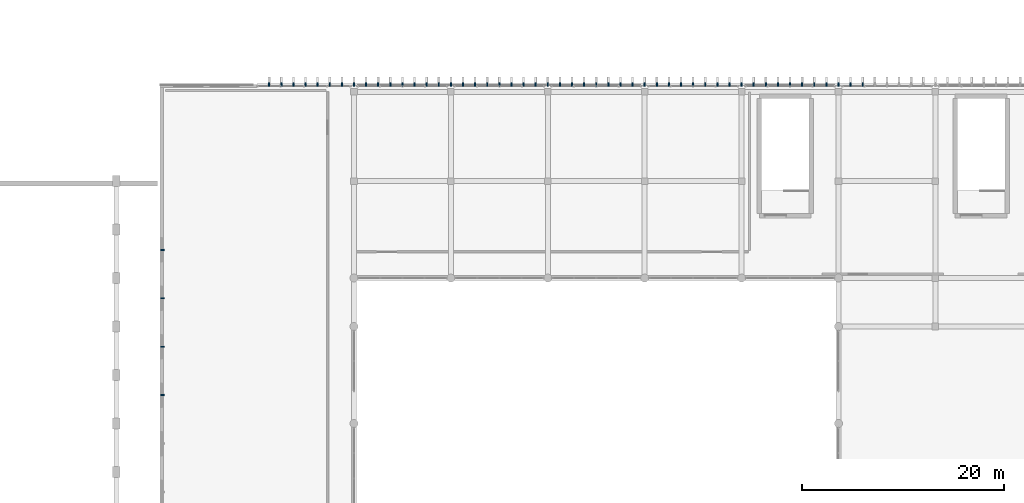
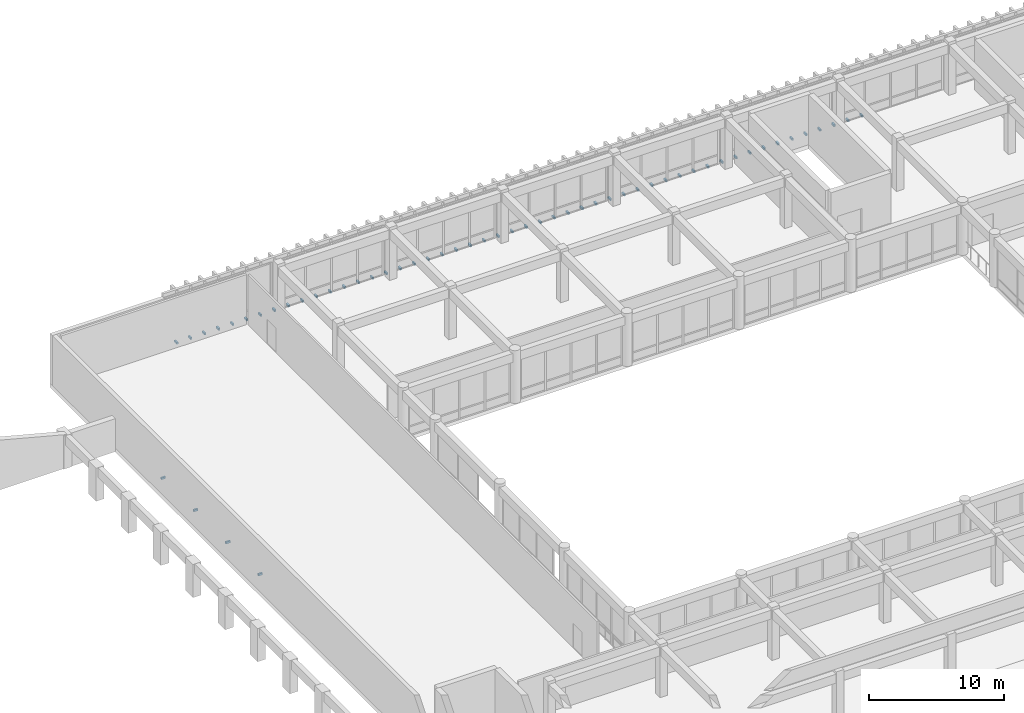
# One storey, part 86 of 101: 54 discrete accessories.
"""IFC4 building model written with IfcOpenShell, lengths in metres."""

from ifc_helpers import new_model, si_unit, direction, frame, origin, origin_2d, place, context, subcontext, project, spatial, rectangle, extrude, material, type_object, element, save


model = new_model("IFC4")

# Units and contexts
model_context = context("Model", 3, precision=1e-05, world=origin(), true_north=direction((0.0, 1.0)))
body_context = subcontext(model_context, "Body", "Model", "MODEL_VIEW")
ifc_project = project(units=[si_unit("LENGTHUNIT", "METRE"), si_unit("AREAUNIT", "SQUARE_METRE"), si_unit("VOLUMEUNIT", "CUBIC_METRE"), si_unit("PLANEANGLEUNIT", "RADIAN"), si_unit("MASSUNIT", "GRAM", prefix="KILO")], contexts=[model_context])

# Site, building, storey
site_placement = place(None, origin())
site = spatial("IfcSite", under=ifc_project, at=site_placement, CompositionType="ELEMENT")
building_placement = place(site_placement, origin())
building = spatial("IfcBuilding", under=site, at=building_placement, Name="Nakhvara Creek Congress Hotel", CompositionType="ELEMENT")
storey_placement = place(building_placement, frame((0.0, 0.0, 16.199951171875)))
storey = spatial("IfcBuildingStorey", under=building, at=storey_placement, Name="L03", CompositionType="ELEMENT", Elevation=16.199951171875)

# Discrete accessories
ifc_material = material(Name="Brushed stainless steel 316L", Category="steel")
discrete_accessory_type = type_object("IfcDiscreteAccessoryType", Name="ACC-BRK-SS316", PredefinedType="BRACKET", material=ifc_material)
for number, where, z_axis, x_axis, name in (
    (1, (68.39990234375, 95.97998046875, -0.10986328125), (0.0, 0.0, 1.0), (1.0, 0.0, 0.0), "Stainless Fin Bracket BK01-0331"),
    (2, (69.60009765625, 95.97998046875, -0.10986328125), (0.0, 0.0, 1.0), (1.0, 0.0, 0.0), "Stainless Fin Bracket BK01-0332"),
    (3, (70.800048828125, 95.97998046875, -0.10986328125), (0.0, 0.0, 1.0), (1.0, 0.0, 0.0), "Stainless Fin Bracket BK01-0333"),
    (4, (72.0, 95.97998046875, -0.10986328125), (0.0, 0.0, 1.0), (1.0, 0.0, 0.0), "Stainless Fin Bracket BK01-0334"),
    (5, (73.199951171875, 95.97998046875, -0.10986328125), (0.0, 0.0, 1.0), (1.0, 0.0, 0.0), "Stainless Fin Bracket BK01-0335"),
    (6, (74.39990234375, 95.97998046875, -0.10986328125), (0.0, 0.0, 1.0), (1.0, 0.0, 0.0), "Stainless Fin Bracket BK01-0336"),
    (7, (75.60009765625, 95.97998046875, -0.10986328125), (0.0, 0.0, 1.0), (1.0, 0.0, 0.0), "Stainless Fin Bracket BK01-0337"),
    (8, (76.800048828125, 95.97998046875, -0.10986328125), (0.0, 0.0, 1.0), (1.0, 0.0, 0.0), "Stainless Fin Bracket BK01-0338"),
    (9, (78.0, 95.97998046875, -0.10986328125), (0.0, 0.0, 1.0), (1.0, 0.0, 0.0), "Stainless Fin Bracket BK01-0339"),
    (10, (79.199951171875, 95.97998046875, -0.10986328125), (0.0, 0.0, 1.0), (1.0, 0.0, 0.0), "Stainless Fin Bracket BK01-0340"),
    (11, (80.39990234375, 95.97998046875, -0.10986328125), (0.0, 0.0, 1.0), (1.0, 0.0, 0.0), "Stainless Fin Bracket BK01-0341"),
    (12, (81.60009765625, 95.97998046875, -0.10986328125), (0.0, 0.0, 1.0), (1.0, 0.0, 0.0), "Stainless Fin Bracket BK01-0342"),
    (13, (82.800048828125, 95.97998046875, -0.10986328125), (0.0, 0.0, 1.0), (1.0, 0.0, 0.0), "Stainless Fin Bracket BK01-0343"),
    (14, (84.0, 95.97998046875, -0.10986328125), (0.0, 0.0, 1.0), (1.0, 0.0, 0.0), "Stainless Fin Bracket BK01-0344"),
    (15, (85.199951171875, 95.97998046875, -0.10986328125), (0.0, 0.0, 1.0), (1.0, 0.0, 0.0), "Stainless Fin Bracket BK01-0345"),
    (16, (86.39990234375, 95.97998046875, -0.10986328125), (0.0, 0.0, 1.0), (1.0, 0.0, 0.0), "Stainless Fin Bracket BK01-0346"),
    (17, (87.60009765625, 95.97998046875, -0.10986328125), (0.0, 0.0, 1.0), (1.0, 0.0, 0.0), "Stainless Fin Bracket BK01-0347"),
    (18, (88.800048828125, 95.97998046875, -0.10986328125), (0.0, 0.0, 1.0), (1.0, 0.0, 0.0), "Stainless Fin Bracket BK01-0348"),
    (19, (90.0, 95.97998046875, -0.10986328125), (0.0, 0.0, 1.0), (1.0, 0.0, 0.0), "Stainless Fin Bracket BK01-0349"),
    (20, (91.199951171875, 95.97998046875, -0.10986328125), (0.0, 0.0, 1.0), (1.0, 0.0, 0.0), "Stainless Fin Bracket BK01-0350"),
    (21, (92.39990234375, 95.97998046875, -0.10986328125), (0.0, 0.0, 1.0), (1.0, 0.0, 0.0), "Stainless Fin Bracket BK01-0351"),
    (22, (93.60009765625, 95.97998046875, -0.10986328125), (0.0, 0.0, 1.0), (1.0, 0.0, 0.0), "Stainless Fin Bracket BK01-0352"),
    (23, (94.800048828125, 95.97998046875, -0.10986328125), (0.0, 0.0, 1.0), (1.0, 0.0, 0.0), "Stainless Fin Bracket BK01-0353"),
    (24, (96.0, 95.97998046875, -0.10986328125), (0.0, 0.0, 1.0), (1.0, 0.0, 0.0), "Stainless Fin Bracket BK01-0354"),
    (25, (97.199951171875, 95.97998046875, -0.10986328125), (0.0, 0.0, 1.0), (1.0, 0.0, 0.0), "Stainless Fin Bracket BK01-0355"),
    (26, (98.39990234375, 95.97998046875, -0.10986328125), (0.0, 0.0, 1.0), (1.0, 0.0, 0.0), "Stainless Fin Bracket BK01-0356"),
    (27, (99.60009765625, 95.97998046875, -0.10986328125), (0.0, 0.0, 1.0), (1.0, 0.0, 0.0), "Stainless Fin Bracket BK01-0357"),
    (28, (100.800048828125, 95.97998046875, -0.10986328125), (0.0, 0.0, 1.0), (1.0, 0.0, 0.0), "Stainless Fin Bracket BK01-0358"),
    (29, (102.0, 95.97998046875, -0.10986328125), (0.0, 0.0, 1.0), (1.0, 0.0, 0.0), "Stainless Fin Bracket BK01-0359"),
    (30, (103.199951171875, 95.97998046875, -0.10986328125), (0.0, 0.0, 1.0), (1.0, 0.0, 0.0), "Stainless Fin Bracket BK01-0360"),
    (31, (104.39990234375, 95.97998046875, -0.10986328125), (0.0, 0.0, 1.0), (1.0, 0.0, 0.0), "Stainless Fin Bracket BK01-0361"),
    (32, (105.60009765625, 95.97998046875, -0.10986328125), (0.0, 0.0, 1.0), (1.0, 0.0, 0.0), "Stainless Fin Bracket BK01-0362"),
    (33, (106.800048828125, 95.97998046875, -0.10986328125), (0.0, 0.0, 1.0), (1.0, 0.0, 0.0), "Stainless Fin Bracket BK01-0363"),
    (34, (108.0, 95.97998046875, -0.10986328125), (0.0, 0.0, 1.0), (1.0, 0.0, 0.0), "Stainless Fin Bracket BK01-0364"),
    (35, (109.199951171875, 95.97998046875, -0.10986328125), (0.0, 0.0, 1.0), (1.0, 0.0, 0.0), "Stainless Fin Bracket BK01-0365"),
    (36, (110.39990234375, 95.97998046875, -0.10986328125), (0.0, 0.0, 1.0), (1.0, 0.0, 0.0), "Stainless Fin Bracket BK01-0366"),
    (37, (111.60009765625, 95.97998046875, -0.10986328125), (0.0, 0.0, 1.0), (1.0, 0.0, 0.0), "Stainless Fin Bracket BK01-0367"),
    (38, (112.800048828125, 95.97998046875, -0.10986328125), (0.0, 0.0, 1.0), (1.0, 0.0, 0.0), "Stainless Fin Bracket BK01-0368"),
    (39, (114.0, 95.97998046875, -0.10986328125), (0.0, 0.0, 1.0), (1.0, 0.0, 0.0), "Stainless Fin Bracket BK01-0369"),
    (40, (115.199951171875, 95.97998046875, -0.10986328125), (0.0, 0.0, 1.0), (1.0, 0.0, 0.0), "Stainless Fin Bracket BK01-0370"),
    (41, (116.39990234375, 95.97998046875, -0.10986328125), (0.0, 0.0, 1.0), (1.0, 0.0, 0.0), "Stainless Fin Bracket BK01-0371"),
    (42, (117.60009765625, 95.97998046875, -0.10986328125), (0.0, 0.0, 1.0), (1.0, 0.0, 0.0), "Stainless Fin Bracket BK01-0372"),
    (43, (118.800048828125, 95.97998046875, -0.10986328125), (0.0, 0.0, 1.0), (1.0, 0.0, 0.0), "Stainless Fin Bracket BK01-0373"),
    (44, (120.0, 95.97998046875, -0.10986328125), (0.0, 0.0, 1.0), (1.0, 0.0, 0.0), "Stainless Fin Bracket BK01-0374"),
    (45, (121.199951171875, 95.97998046875, -0.10986328125), (0.0, 0.0, 1.0), (1.0, 0.0, 0.0), "Stainless Fin Bracket BK01-0375"),
    (46, (122.39990234375, 95.97998046875, -0.10986328125), (0.0, 0.0, 1.0), (1.0, 0.0, 0.0), "Stainless Fin Bracket BK01-0376"),
    (47, (123.60009765625, 95.97998046875, -0.10986328125), (0.0, 0.0, 1.0), (1.0, 0.0, 0.0), "Stainless Fin Bracket BK01-0377"),
    (48, (124.800048828125, 95.97998046875, -0.10986328125), (0.0, 0.0, 1.0), (1.0, 0.0, 0.0), "Stainless Fin Bracket BK01-0378"),
    (49, (126.0, 95.97998046875, -0.10986328125), (0.0, 0.0, 1.0), (1.0, 0.0, 0.0), "Stainless Fin Bracket BK01-0379"),
    (50, (127.199951171875, 95.97998046875, -0.10986328125), (0.0, 0.0, 1.0), (1.0, 0.0, 0.0), "Stainless Fin Bracket BK01-0380"),
    (51, (57.820068359375, 65.199951171875, 1.2099609375), (0.0, 0.0, 1.0), (0.0, 1.0, 0.0), "Louvre Support Bracket 05"),
    (52, (57.820068359375, 70.0, 1.2099609375), (0.0, 0.0, 1.0), (0.0, 1.0, 0.0), "Louvre Support Bracket 06"),
    (53, (57.820068359375, 74.800048828125, 1.2099609375), (0.0, 0.0, 1.0), (0.0, 1.0, 0.0), "Louvre Support Bracket 07"),
    (54, (57.820068359375, 79.60009765625, 1.2099609375), (0.0, 0.0, 1.0), (0.0, 1.0, 0.0), "Louvre Support Bracket 08"),
):
    element("IfcDiscreteAccessory", number, at=place(storey_placement, frame(where, z_axis=z_axis, x_axis=x_axis)), inside=storey, type_object=discrete_accessory_type, Name=name, PredefinedType="BRACKET", context=body_context, shape_type="SweptSolid", body=[
        extrude(rectangle(XDim=0.139892578125, YDim=0.360107421875, at=origin_2d()), origin(), (0.0, 0.0, 1.0), 0.179931640625),
    ])

save(model, "model.ifc")
